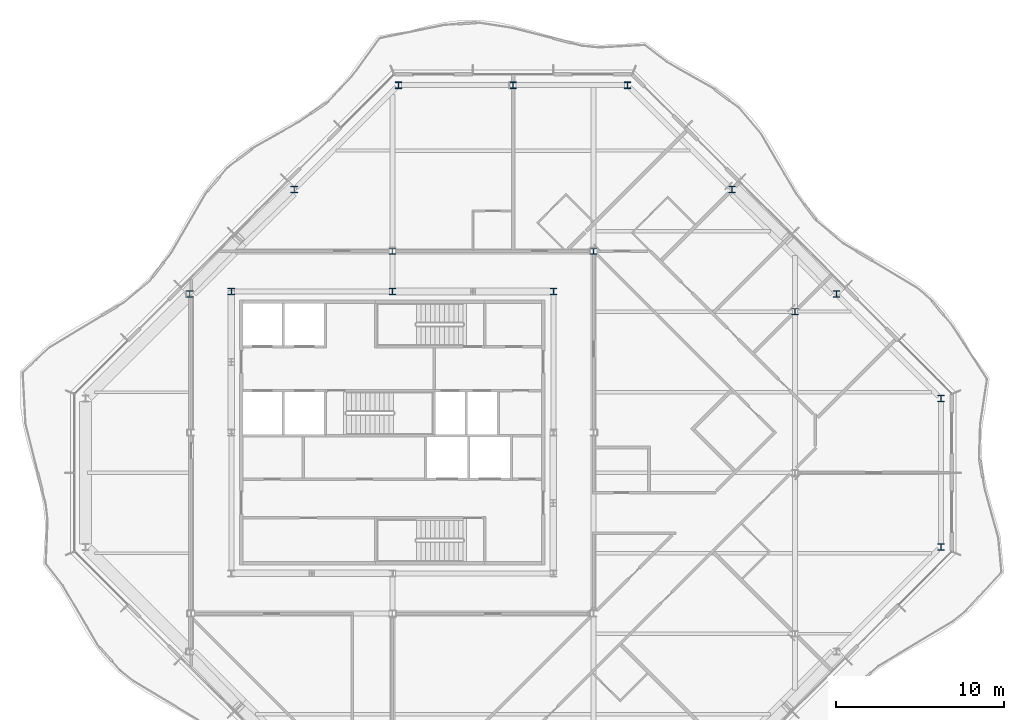
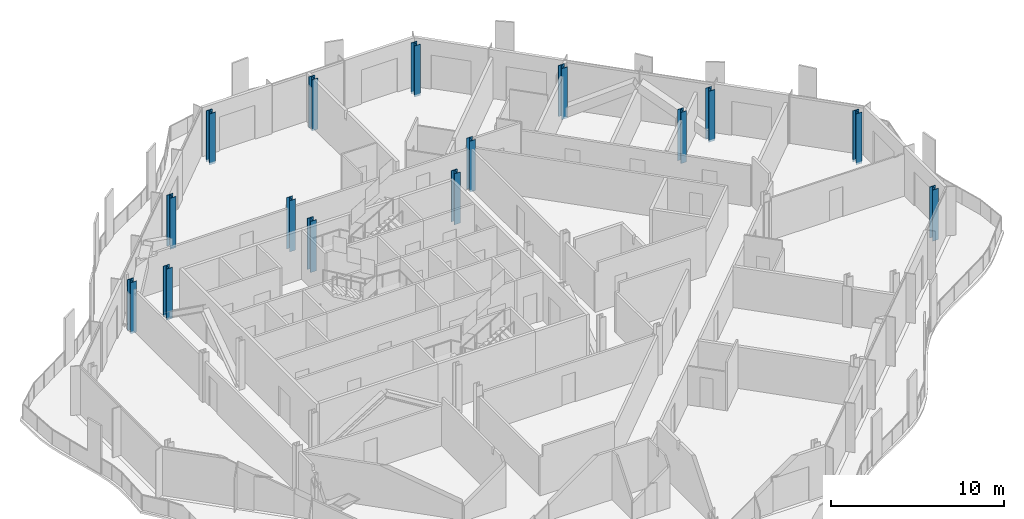
# One storey, part 2 of 17: 15 columns.
"""IFC4 building model written with IfcOpenShell, lengths in metres."""

from ifc_helpers import new_model, si_unit, direction, frame, origin, origin_2d, place, context, subcontext, project, spatial, i_section, extrude, material, material_profile, profile_set, type_object, element, save


model = new_model("IFC4")

# Units and contexts
model_context = context("Model", 3, precision=1e-05, world=origin(), true_north=direction((0.0, 1.0)))
body_context = subcontext(model_context, "Body", "Model", "MODEL_VIEW")
ifc_project = project(units=[si_unit("LENGTHUNIT", "METRE"), si_unit("AREAUNIT", "SQUARE_METRE"), si_unit("VOLUMEUNIT", "CUBIC_METRE"), si_unit("PLANEANGLEUNIT", "RADIAN"), si_unit("MASSUNIT", "GRAM", prefix="KILO")], contexts=[model_context])

# Site, building, storey
site_placement = place(None, origin())
site = spatial("IfcSite", under=ifc_project, at=site_placement, CompositionType="ELEMENT")
building_placement = place(site_placement, origin())
building = spatial("IfcBuilding", under=site, at=building_placement, Name="Cairn Pilgrim Tower", CompositionType="ELEMENT")
storey_placement = place(building_placement, frame((0.0, 0.0, 274.199951171875)))
storey = spatial("IfcBuildingStorey", under=building, at=storey_placement, Name="L70", CompositionType="ELEMENT", Elevation=274.199951171875)

# Columns
ifc_material = material(Name="Structural steel S355J2", Category="steel")
ifc_material_profile_1 = material_profile(ifc_material, i_section(OverallWidth=0.39404296875, OverallDepth=0.375, WebThickness=0.017333984375, FlangeThickness=0.027587890625, FilletRadius=0.014892578125, at=origin_2d()), Name="HD 400x216")
ifc_profile_set_1 = profile_set([ifc_material_profile_1], Name="Structural steel S355J2")
column_type_1 = type_object("IfcColumnType", Name="HD 400x216", PredefinedType="COLUMN", material=ifc_profile_set_1)
for number, where, z_axis, x_axis, name in (
    (1, (7.199951171875, 13.199951171875, -0.14990234375), (0.0, 0.0, 1.0), (1.0, 0.0, 0.0), "IC-7"),
    (2, (19.199951171875, 13.199951171875, -0.14990234375), (0.0, 0.0, 1.0), (1.0, 0.0, 0.0), "IC-8"),
    (3, (31.199951171875, 9.60009765625, -0.14990234375), (0.0, 0.0, 1.0), (1.0, 0.0, 0.0), "WC-WE+2"),
):
    element("IfcColumn", number, at=place(storey_placement, frame(where, z_axis=z_axis, x_axis=x_axis)), inside=storey, type_object=column_type_1, Name=name, PredefinedType="COLUMN", context=body_context, shape_type="SweptSolid", body=[
        extrude(i_section(OverallWidth=0.39404296875, OverallDepth=0.375, WebThickness=0.017333984375, FlangeThickness=0.027587890625, FilletRadius=0.014892578125, at=origin_2d()), origin(), (0.0, 0.0, 1.0), 3.599853515625),
    ])
ifc_material_profile_2 = material_profile(ifc_material, i_section(OverallWidth=0.39794921875, OverallDepth=0.386962890625, WebThickness=0.02099609375, FlangeThickness=0.033203125, FilletRadius=0.014892578125, at=origin_2d()), Name="HD 400x262")
ifc_profile_set_2 = profile_set([ifc_material_profile_2], Name="Structural steel S355J2")
column_type_2 = type_object("IfcColumnType", Name="HD 400x262", PredefinedType="COLUMN", material=ifc_profile_set_2)
for number, where, z_axis, x_axis, name in (
    (4, (-2.39990234375, 10.800048828125, -0.14990234375), (0.0, 0.0, 1.0), (1.0, 0.0, 0.0), "KC-6"),
    (5, (7.199951171875, 10.800048828125, -0.14990234375), (0.0, 0.0, 1.0), (1.0, 0.0, 0.0), "KC-7"),
    (6, (16.800048828125, 10.800048828125, -0.14990234375), (0.0, 0.0, 1.0), (1.0, 0.0, 0.0), "KC-8"),
):
    element("IfcColumn", number, at=place(storey_placement, frame(where, z_axis=z_axis, x_axis=x_axis)), inside=storey, type_object=column_type_2, Name=name, PredefinedType="COLUMN", context=body_context, shape_type="SweptSolid", body=[
        extrude(i_section(OverallWidth=0.39794921875, OverallDepth=0.386962890625, WebThickness=0.02099609375, FlangeThickness=0.033203125, FilletRadius=0.014892578125, at=origin_2d()), origin(), (0.0, 0.0, 1.0), 3.599853515625),
    ])
ifc_material_profile_3 = material_profile(ifc_material, i_section(OverallWidth=0.39892578125, OverallDepth=0.39306640625, WebThickness=0.022705078125, FlangeThickness=0.03662109375, FilletRadius=0.014892578125, at=origin_2d()), Name="HD 400x287")
ifc_profile_set_3 = profile_set([ifc_material_profile_3], Name="Structural steel S355J2")
column_type_3 = type_object("IfcColumnType", Name="HD 400x287", PredefinedType="COLUMN", material=ifc_profile_set_3)
for number, where, z_axis, x_axis, name in (
    (7, (39.89990234375, -4.42724609375, -0.14990234375), (0.0, 0.0, 1.0), (1.0, 0.0, 0.0), "PC4-E1"),
    (8, (39.89990234375, 4.42724609375, -0.14990234375), (0.0, 0.0, 1.0), (1.0, 0.0, 0.0), "PC4-NE1"),
    (9, (33.67578125, 10.651611328125, -0.14990234375), (0.0, 0.0, 1.0), (1.0, 0.0, 0.0), "PC4-NE2"),
    (10, (27.451416015625, 16.875732421875, -0.14990234375), (0.0, 0.0, 1.0), (1.0, 0.0, 0.0), "PC4-NE3"),
    (11, (21.227294921875, 23.10009765625, -0.14990234375), (0.0, 0.0, 1.0), (1.0, 0.0, 0.0), "PC4-N1"),
    (12, (14.39990234375, 23.10009765625, -0.14990234375), (0.0, 0.0, 1.0), (1.0, 0.0, 0.0), "PC4-N2"),
    (13, (7.57275390625, 23.10009765625, -0.14990234375), (0.0, 0.0, 1.0), (1.0, 0.0, 0.0), "PC4-NW1"),
    (14, (1.348388671875, 16.875732421875, -0.14990234375), (0.0, 0.0, 1.0), (1.0, 0.0, 0.0), "PC4-NW2"),
    (15, (-4.875732421875, 10.651611328125, -0.14990234375), (0.0, 0.0, 1.0), (1.0, 0.0, 0.0), "PC4-NW3"),
):
    element("IfcColumn", number, at=place(storey_placement, frame(where, z_axis=z_axis, x_axis=x_axis)), inside=storey, type_object=column_type_3, Name=name, PredefinedType="COLUMN", context=body_context, shape_type="SweptSolid", body=[
        extrude(i_section(OverallWidth=0.39892578125, OverallDepth=0.39306640625, WebThickness=0.022705078125, FlangeThickness=0.03662109375, FilletRadius=0.014892578125, at=origin_2d()), origin(), (0.0, 0.0, 1.0), 3.599853515625),
    ])

save(model, "model.ifc")
